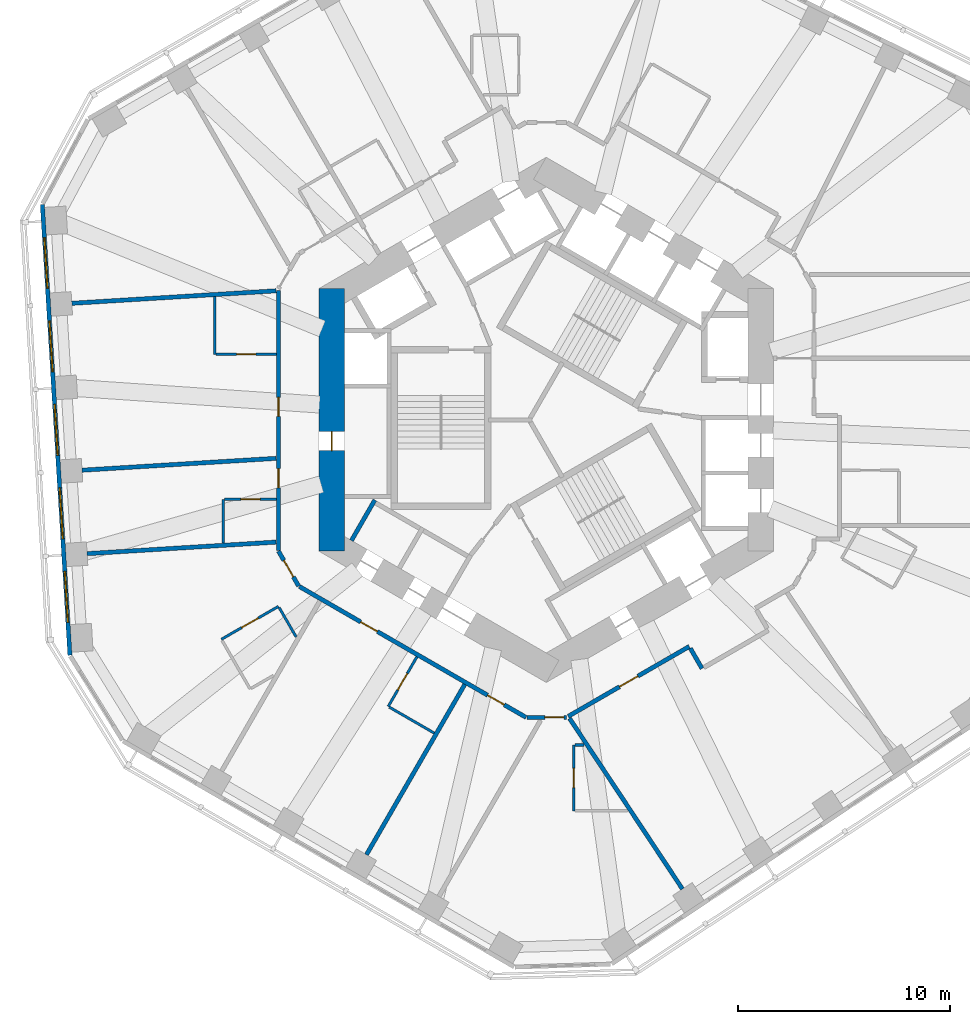
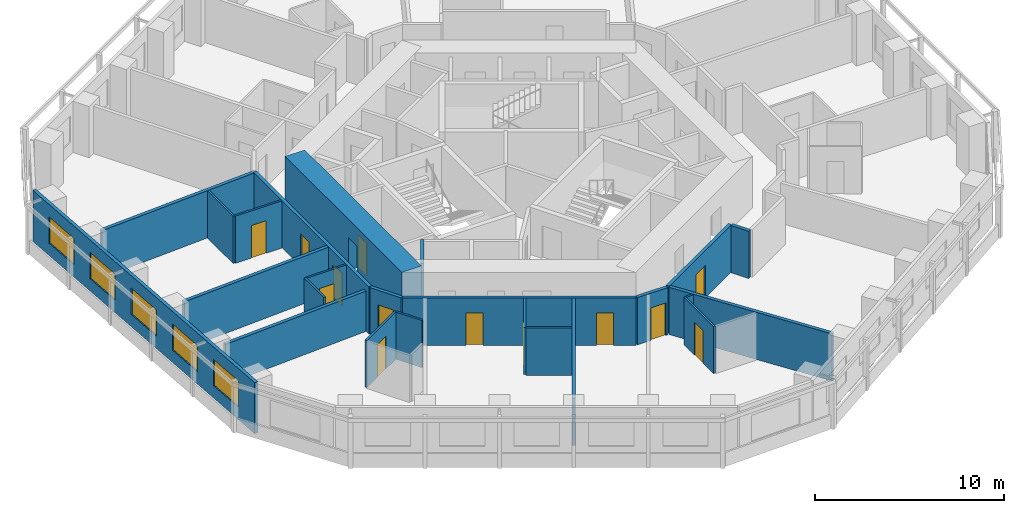
# One storey, part 4 of 12: 24 walls, 13 doors, 5 windows, 18 openings.
"""IFC4 building model written with IfcOpenShell, lengths in metres."""

from ifc_helpers import new_model, si_unit, direction, frame, frame_2d, origin, place, context, subcontext, project, spatial, rectangle, extrude, material, layer, layer_set, type_object, element, fill, save


model = new_model("IFC4")

# Units and contexts
model_context = context("Model", 3, precision=1e-05, world=origin(), true_north=direction((0.0, 1.0)))
body_context = subcontext(model_context, "Body", "Model", "MODEL_VIEW")
ifc_project = project(units=[si_unit("LENGTHUNIT", "METRE"), si_unit("AREAUNIT", "SQUARE_METRE"), si_unit("VOLUMEUNIT", "CUBIC_METRE"), si_unit("PLANEANGLEUNIT", "RADIAN"), si_unit("MASSUNIT", "GRAM", prefix="KILO")], contexts=[model_context])

# Site, building, storey
site_placement = place(None, origin())
site = spatial("IfcSite", under=ifc_project, at=site_placement, CompositionType="ELEMENT")
building_placement = place(site_placement, origin())
building = spatial("IfcBuilding", under=site, at=building_placement, Name="Vanh Sen Convention Tower", CompositionType="ELEMENT")
storey_placement = place(building_placement, frame((0.0, 0.0, 103.39990234375)))
storey = spatial("IfcBuildingStorey", under=building, at=storey_placement, Name="L24", CompositionType="ELEMENT", Elevation=103.39990234375)

# Wall
ifc_material_1 = material(Name="Moisture-resistant gypsum board on steel studs", Category="steel")
ifc_layer_1 = layer(ifc_material_1, 0.1201171875)
ifc_layer_set_1 = layer_set([ifc_layer_1], Name="Moisture-resistant gypsum board on steel studs")
wall_type_1 = type_object("IfcWallType", Name="Bathroom partition 120", PredefinedType="PARTITIONING", material=ifc_layer_set_1)
wall_1_placement = place(storey_placement, frame((-15.60009765625, 3.081298828125, 0.0), z_axis=(0.0, 0.0, 1.0), x_axis=(0.0, 1.0, 0.0)))
element("IfcWall", 1, at=wall_1_placement, inside=storey, type_object=wall_type_1, Name="Bathroom partition 120", PredefinedType="PARTITIONING", context=body_context, shape_type="SweptSolid", body=[
    extrude(rectangle(XDim=2.71630859375, YDim=0.1201171875, at=frame_2d((1.358154296875, 0.0))), origin(), (0.0, 0.0, 1.0), 3.050048828125),
])

# Wall, opening, door
wall_2_placement = place(storey_placement, frame((-15.285400390625, -10.326171875, 0.0), z_axis=(0.0, 0.0, 1.0), x_axis=(0.86600983753, 0.500026960575, 0.0)))
wall_2 = element("IfcWall", 2, at=wall_2_placement, inside=storey, type_object=wall_type_1, Name="Bathroom partition 120", PredefinedType="PARTITIONING", context=body_context, shape_type="SweptSolid", body=[
    extrude(rectangle(XDim=3.099853515625, YDim=0.1201171875, at=frame_2d((1.5498046875, 0.0))), origin(), (0.0, 0.0, 1.0), 3.050048828125),
])
opening_1_placement = place(wall_2_placement, frame((1.10009765625, 0.0, 0.0)))
opening_1 = element("IfcOpeningElement", 3, at=opening_1_placement, cuts=wall_2, Name="Opening D22119", PredefinedType="OPENING", context=body_context, shape_type="SweptSolid", body=[
    extrude(rectangle(XDim=0.89990234375, YDim=2.10009765625, at=frame_2d((0.449951171875, 1.050048828125))), frame((0.0, 0.070068359375, 0.0), z_axis=(0.0, -1.0, 0.0), x_axis=(1.0, 0.0, 0.0)), (0.0, 0.0, 1.0), 0.14013671875),
])
ifc_material_2 = material(Name="Laminate door in steel frame", Category="steel")
door_type_1 = type_object("IfcDoorType", Name="En-suite door 900", OperationType="SINGLE_SWING_LEFT", PredefinedType="DOOR", material=ifc_material_2)
door_1_placement = place(opening_1_placement, origin())
door_1 = element("IfcDoor", 4, at=door_1_placement, inside=storey, type_object=door_type_1, Name="En-suite door D22119", OperationType="SINGLE_SWING_LEFT", OverallHeight=2.10009765625, OverallWidth=0.89990234375, PredefinedType="DOOR", context=body_context, shape_type="SweptSolid", body=[
    extrude(rectangle(XDim=0.89990234375, YDim=2.10009765625, at=frame_2d((0.449951171875, 1.050048828125))), frame((0.0, 0.02490234375, 0.0), z_axis=(0.0, -1.0, 0.0), x_axis=(1.0, 0.0, 0.0)), (0.0, 0.0, 1.0), 0.050048828125),
])
fill(opening_1, door_1)

# Wall
wall_3_placement = place(storey_placement, frame((-15.199951171875, -5.8037109375, 0.0), z_axis=(0.0, 0.0, 1.0), x_axis=(0.0, 1.0, 0.0)))
element("IfcWall", 5, at=wall_3_placement, inside=storey, type_object=wall_type_1, Name="Bathroom partition 120", PredefinedType="PARTITIONING", context=body_context, shape_type="SweptSolid", body=[
    extrude(rectangle(XDim=2.059326171875, YDim=0.1201171875, at=frame_2d((1.02978515625, 0.0))), origin(), (0.0, 0.0, 1.0), 3.050048828125),
])

# Wall, opening, door
wall_4_placement = place(storey_placement, frame((-15.139892578125, -3.744384765625, 0.0), z_axis=(0.0, 0.0, 1.0), x_axis=(1.0, 0.0, 0.0)))
wall_4 = element("IfcWall", 6, at=wall_4_placement, inside=storey, type_object=wall_type_1, Name="Bathroom partition 120", PredefinedType="PARTITIONING", context=body_context, shape_type="SweptSolid", body=[
    extrude(rectangle(XDim=2.43994140625, YDim=0.1201171875, at=frame_2d((1.219970703125, 0.0))), origin(), (0.0, 0.0, 1.0), 3.050048828125),
])
opening_2_placement = place(wall_4_placement, frame((0.77001953125, 0.0, 0.0)))
opening_2 = element("IfcOpeningElement", 7, at=opening_2_placement, cuts=wall_4, Name="Opening D22117", PredefinedType="OPENING", context=body_context, shape_type="SweptSolid", body=[
    extrude(rectangle(XDim=0.89990234375, YDim=2.10009765625, at=frame_2d((0.449951171875, 1.050048828125))), frame((0.0, 0.070068359375, 0.0), z_axis=(0.0, -1.0, 0.0), x_axis=(1.0, 0.0, 0.0)), (0.0, 0.0, 1.0), 0.14013671875),
])
door_2_placement = place(opening_2_placement, origin())
door_2 = element("IfcDoor", 8, at=door_2_placement, inside=storey, type_object=door_type_1, Name="En-suite door D22117", OperationType="SINGLE_SWING_LEFT", OverallHeight=2.10009765625, OverallWidth=0.89990234375, PredefinedType="DOOR", context=body_context, shape_type="SweptSolid", body=[
    extrude(rectangle(XDim=0.89990234375, YDim=2.10009765625, at=frame_2d((0.449951171875, 1.050048828125))), frame((0.0, 0.02490234375, 0.0), z_axis=(0.0, -1.0, 0.0), x_axis=(1.0, 0.0, 0.0)), (0.0, 0.0, 1.0), 0.050048828125),
])
fill(opening_2, door_2)

wall_5_placement = place(storey_placement, frame((-12.699951171875, 3.081298828125, 0.0), z_axis=(0.0, 0.0, 1.0), x_axis=(-1.0, 0.0, 0.0)))
wall_5 = element("IfcWall", 9, at=wall_5_placement, inside=storey, type_object=wall_type_1, Name="Bathroom partition 120", PredefinedType="PARTITIONING", context=body_context, shape_type="SweptSolid", body=[
    extrude(rectangle(XDim=2.840087890625, YDim=0.1201171875, at=frame_2d((1.419921875, 0.0))), origin(), (0.0, 0.0, 1.0), 3.050048828125),
])
opening_3_placement = place(wall_5_placement, frame((0.969970703125, 0.0, 0.0)))
opening_3 = element("IfcOpeningElement", 10, at=opening_3_placement, cuts=wall_5, Name="Opening D22115", PredefinedType="OPENING", context=body_context, shape_type="SweptSolid", body=[
    extrude(rectangle(XDim=0.89990234375, YDim=2.10009765625, at=frame_2d((0.449951171875, 1.050048828125))), frame((0.0, 0.070068359375, 0.0), z_axis=(0.0, -1.0, 0.0), x_axis=(1.0, 0.0, 0.0)), (0.0, 0.0, 1.0), 0.14013671875),
])
door_3_placement = place(opening_3_placement, origin())
door_3 = element("IfcDoor", 11, at=door_3_placement, inside=storey, type_object=door_type_1, Name="En-suite door D22115", OperationType="SINGLE_SWING_LEFT", OverallHeight=2.10009765625, OverallWidth=0.89990234375, PredefinedType="DOOR", context=body_context, shape_type="SweptSolid", body=[
    extrude(rectangle(XDim=0.89990234375, YDim=2.10009765625, at=frame_2d((0.449951171875, 1.050048828125))), frame((0.0, 0.02490234375, 0.0), z_axis=(0.0, -1.0, 0.0), x_axis=(1.0, 0.0, 0.0)), (0.0, 0.0, 1.0), 0.050048828125),
])
fill(opening_3, door_3)

# Wall
wall_6_placement = place(storey_placement, frame((-12.57080078125, -8.828125, 0.0), z_axis=(0.0, 0.0, 1.0), x_axis=(0.499960029081, -0.866048479775, 0.0)))
element("IfcWall", 12, at=wall_6_placement, inside=storey, type_object=wall_type_1, Name="Bathroom partition 120", PredefinedType="PARTITIONING", context=body_context, shape_type="SweptSolid", body=[
    extrude(rectangle(XDim=1.601318359375, YDim=0.1201171875, at=frame_2d((0.80078125, 0.0))), origin(), (0.0, 0.0, 1.0), 3.050048828125),
])

# Wall, opening, door
wall_7_placement = place(storey_placement, frame((-7.436279296875, -13.489013671875, 0.0), z_axis=(0.0, 0.0, 1.0), x_axis=(0.500048589285, 0.86599734893, 0.0)))
wall_7 = element("IfcWall", 13, at=wall_7_placement, inside=storey, type_object=wall_type_1, Name="Bathroom partition 120", PredefinedType="PARTITIONING", context=body_context, shape_type="SweptSolid", body=[
    extrude(rectangle(XDim=2.699951171875, YDim=0.1201171875, at=frame_2d((1.35009765625, 0.0))), origin(), (0.0, 0.0, 1.0), 3.050048828125),
])
opening_4_placement = place(wall_7_placement, frame((0.89990234375, 0.0, 0.0)))
opening_4 = element("IfcOpeningElement", 14, at=opening_4_placement, cuts=wall_7, Name="Opening D22121", PredefinedType="OPENING", context=body_context, shape_type="SweptSolid", body=[
    extrude(rectangle(XDim=0.89990234375, YDim=2.10009765625, at=frame_2d((0.449951171875, 1.050048828125))), frame((0.0, 0.070068359375, 0.0), z_axis=(0.0, -1.0, 0.0), x_axis=(1.0, 0.0, 0.0)), (0.0, 0.0, 1.0), 0.14013671875),
])
door_4_placement = place(opening_4_placement, origin())
door_4 = element("IfcDoor", 15, at=door_4_placement, inside=storey, type_object=door_type_1, Name="En-suite door D22121", OperationType="SINGLE_SWING_LEFT", OverallHeight=2.10009765625, OverallWidth=0.89990234375, PredefinedType="DOOR", context=body_context, shape_type="SweptSolid", body=[
    extrude(rectangle(XDim=0.89990234375, YDim=2.10009765625, at=frame_2d((0.449951171875, 1.050048828125))), frame((0.0, 0.02490234375, 0.0), z_axis=(0.0, -1.0, 0.0), x_axis=(1.0, 0.0, 0.0)), (0.0, 0.0, 1.0), 0.050048828125),
])
fill(opening_4, door_4)

# Wall
wall_8_placement = place(storey_placement, frame((-5.271240234375, -14.739013671875, 0.0), z_axis=(0.0, 0.0, 1.0), x_axis=(-0.866023955769, 0.500002508028, 0.0)))
element("IfcWall", 16, at=wall_8_placement, inside=storey, type_object=wall_type_1, Name="Bathroom partition 120", PredefinedType="PARTITIONING", context=body_context, shape_type="SweptSolid", body=[
    extrude(rectangle(XDim=2.43994140625, YDim=0.1201171875, at=frame_2d((1.219970703125, 0.0))), origin(), (0.0, 0.0, 1.0), 3.050048828125),
])

# Wall, opening, door
wall_9_placement = place(storey_placement, frame((1.300048828125, -18.400634765625, 0.0), z_axis=(0.0, 0.0, 1.0), x_axis=(0.0, 1.0, 0.0)))
wall_9 = element("IfcWall", 17, at=wall_9_placement, inside=storey, type_object=wall_type_1, Name="Bathroom partition 120", PredefinedType="PARTITIONING", context=body_context, shape_type="SweptSolid", body=[
    extrude(rectangle(XDim=3.099853515625, YDim=0.1201171875, at=frame_2d((1.5498046875, 0.0))), origin(), (0.0, 0.0, 1.0), 3.050048828125),
])
opening_5_placement = place(wall_9_placement, frame((1.10009765625, 0.0, 0.0)))
opening_5 = element("IfcOpeningElement", 18, at=opening_5_placement, cuts=wall_9, Name="Opening D22124", PredefinedType="OPENING", context=body_context, shape_type="SweptSolid", body=[
    extrude(rectangle(XDim=0.89990234375, YDim=2.10009765625, at=frame_2d((0.449951171875, 1.050048828125))), frame((0.0, 0.070068359375, 0.0), z_axis=(0.0, -1.0, 0.0), x_axis=(1.0, 0.0, 0.0)), (0.0, 0.0, 1.0), 0.14013671875),
])
door_5_placement = place(opening_5_placement, origin())
door_5 = element("IfcDoor", 19, at=door_5_placement, inside=storey, type_object=door_type_1, Name="En-suite door D22124", OperationType="SINGLE_SWING_LEFT", OverallHeight=2.10009765625, OverallWidth=0.89990234375, PredefinedType="DOOR", context=body_context, shape_type="SweptSolid", body=[
    extrude(rectangle(XDim=0.89990234375, YDim=2.10009765625, at=frame_2d((0.449951171875, 1.050048828125))), frame((0.0, 0.02490234375, 0.0), z_axis=(0.0, -1.0, 0.0), x_axis=(1.0, 0.0, 0.0)), (0.0, 0.0, 1.0), 0.050048828125),
])
fill(opening_5, door_5)

# Wall
wall_10_placement = place(storey_placement, frame((1.360107421875, -15.30078125, 0.0), z_axis=(0.0, 0.0, 1.0), x_axis=(1.0, 0.0, 0.0)))
element("IfcWall", 20, at=wall_10_placement, inside=storey, type_object=wall_type_1, Name="Bathroom partition 120", PredefinedType="PARTITIONING", context=body_context, shape_type="SweptSolid", body=[
    extrude(rectangle(XDim=0.415771484375, YDim=0.1201171875, at=frame_2d((0.2080078125, 0.0))), origin(), (0.0, 0.0, 1.0), 3.050048828125),
])

# Wall, opening, door
ifc_material_3 = material(Name="Concrete C80/95", Category="concrete")
ifc_layer_2 = layer(ifc_material_3, 1.199951171875)
ifc_layer_set_2 = layer_set([ifc_layer_2], Name="Concrete C80/95")
wall_type_2 = type_object("IfcWallType", Name="Core outer wall 1200 C80/95", PredefinedType="SHEAR", material=ifc_layer_set_2)
wall_11_placement = place(storey_placement, frame((-10.10009765625, 6.177490234375, 0.0), z_axis=(0.0, 0.0, 1.0), x_axis=(0.0, -1.0, 0.0)))
wall_11 = element("IfcWall", 21, at=wall_11_placement, inside=storey, type_object=wall_type_2, Name="Core wall face W L24", PredefinedType="SHEAR", context=body_context, shape_type="SweptSolid", body=[
    extrude(rectangle(XDim=12.35498046875, YDim=1.199951171875, at=frame_2d((6.177490234375, 0.0))), origin(), (0.0, 0.0, 1.0), 3.300048828125),
])
opening_6_placement = place(wall_11_placement, frame((6.7275390625, 0.0, 0.0)))
opening_6 = element("IfcOpeningElement", 22, at=opening_6_placement, cuts=wall_11, Name="Opening D22010", PredefinedType="OPENING", context=body_context, shape_type="SweptSolid", body=[
    extrude(rectangle(XDim=0.89990234375, YDim=2.10009765625, at=frame_2d((0.449951171875, 1.050048828125))), frame((0.0, 0.60986328125, 0.0), z_axis=(0.0, -1.0, 0.0), x_axis=(1.0, 0.0, 0.0)), (0.0, 0.0, 1.0), 1.219970703125),
])
ifc_material_4 = material(Name="Steel S355", Category="steel")
door_type_2 = type_object("IfcDoorType", Name="Plant door 900", OperationType="SINGLE_SWING_LEFT", PredefinedType="DOOR", material=ifc_material_4)
door_6_placement = place(opening_6_placement, origin())
door_6 = element("IfcDoor", 23, at=door_6_placement, inside=storey, type_object=door_type_2, Name="Plant door D22010", OperationType="SINGLE_SWING_LEFT", OverallHeight=2.10009765625, OverallWidth=0.89990234375, PredefinedType="DOOR", context=body_context, shape_type="SweptSolid", body=[
    extrude(rectangle(XDim=0.89990234375, YDim=2.10009765625, at=frame_2d((0.449951171875, 1.050048828125))), frame((0.0, 0.02490234375, 0.0), z_axis=(0.0, -1.0, 0.0), x_axis=(1.0, 0.0, 0.0)), (0.0, 0.0, 1.0), 0.050048828125),
])
fill(opening_6, door_6)

ifc_material_5 = material(Name="Gypsum board on steel studs with mineral wool", Category="steel")
ifc_layer_3 = layer(ifc_material_5, 0.199951171875)
ifc_layer_set_3 = layer_set([ifc_layer_3], Name="Gypsum board on steel studs with mineral wool")
wall_type_3 = type_object("IfcWallType", Name="Corridor partition wall 200", PredefinedType="PARTITIONING", material=ifc_layer_set_3)
wall_12_placement = place(storey_placement, frame((-12.60009765625, -6.177490234375, 0.0), z_axis=(0.0, 0.0, 1.0), x_axis=(0.500063520245, -0.865988727248, 0.0)))
wall_12 = element("IfcWall", 24, at=wall_12_placement, inside=storey, type_object=wall_type_3, Name="Corridor partition wall 200", PredefinedType="PARTITIONING", context=body_context, shape_type="SweptSolid", body=[
    extrude(rectangle(XDim=1.900146484375, YDim=0.199951171875, at=frame_2d((0.9501953125, 0.0))), origin(), (0.0, 0.0, 1.0), 3.050048828125),
])
opening_7_placement = place(wall_12_placement, frame((0.5, 0.0, 0.0)))
opening_7 = element("IfcOpeningElement", 25, at=opening_7_placement, cuts=wall_12, Name="Opening D22118", PredefinedType="OPENING", context=body_context, shape_type="SweptSolid", body=[
    extrude(rectangle(XDim=0.89990234375, YDim=2.10009765625, at=frame_2d((0.449951171875, 1.050048828125))), frame((0.0, 0.10986328125, 0.0), z_axis=(0.0, -1.0, 0.0), x_axis=(1.0, 0.0, 0.0)), (0.0, 0.0, 1.0), 0.219970703125),
])
ifc_material_6 = material(Name="Timber fire door in steel frame", Category="steel")
door_type_3 = type_object("IfcDoorType", Name="Guest room door 900", OperationType="SINGLE_SWING_LEFT", PredefinedType="DOOR", material=ifc_material_6)
door_7_placement = place(opening_7_placement, origin())
door_7 = element("IfcDoor", 26, at=door_7_placement, inside=storey, type_object=door_type_3, Name="Hotel guest room door D22118", OperationType="SINGLE_SWING_LEFT", OverallHeight=2.10009765625, OverallWidth=0.89990234375, PredefinedType="DOOR", context=body_context, shape_type="SweptSolid", body=[
    extrude(rectangle(XDim=0.89990234375, YDim=2.10009765625, at=frame_2d((0.449951171875, 1.050048828125))), frame((0.0, 0.02490234375, 0.0), z_axis=(0.0, -1.0, 0.0), x_axis=(1.0, 0.0, 0.0)), (0.0, 0.0, 1.0), 0.050048828125),
])
fill(opening_7, door_7)

# Wall, openings, doors
wall_13_placement = place(storey_placement, frame((-12.60009765625, 6.081298828125, 0.0), z_axis=(0.0, 0.0, 1.0), x_axis=(0.0, -1.0, 0.0)))
wall_13 = element("IfcWall", 27, at=wall_13_placement, inside=storey, type_object=wall_type_3, Name="Corridor partition wall 200", PredefinedType="PARTITIONING", context=body_context, shape_type="SweptSolid", body=[
    extrude(rectangle(XDim=12.218994140625, YDim=0.199951171875, at=frame_2d((6.109375, 0.0))), origin(), (0.0, 0.0, 1.0), 3.050048828125),
])
opening_8_placement = place(wall_13_placement, frame((5.016845703125, 0.0, 0.0)))
opening_8 = element("IfcOpeningElement", 28, at=opening_8_placement, cuts=wall_13, Name="Opening D22114", PredefinedType="OPENING", context=body_context, shape_type="SweptSolid", body=[
    extrude(rectangle(XDim=0.89990234375, YDim=2.10009765625, at=frame_2d((0.449951171875, 1.050048828125))), frame((0.0, 0.10986328125, 0.0), z_axis=(0.0, -1.0, 0.0), x_axis=(1.0, 0.0, 0.0)), (0.0, 0.0, 1.0), 0.219970703125),
])
opening_9_placement = place(wall_13_placement, frame((8.3798828125, 0.0, 0.0)))
opening_9 = element("IfcOpeningElement", 29, at=opening_9_placement, cuts=wall_13, Name="Opening D22116", PredefinedType="OPENING", context=body_context, shape_type="SweptSolid", body=[
    extrude(rectangle(XDim=0.89990234375, YDim=2.10009765625, at=frame_2d((0.449951171875, 1.050048828125))), frame((0.0, 0.10986328125, 0.0), z_axis=(0.0, -1.0, 0.0), x_axis=(1.0, 0.0, 0.0)), (0.0, 0.0, 1.0), 0.219970703125),
])
door_8_placement = place(opening_8_placement, origin())
door_8 = element("IfcDoor", 30, at=door_8_placement, inside=storey, type_object=door_type_3, Name="Hotel guest room door D22114", OperationType="SINGLE_SWING_LEFT", OverallHeight=2.10009765625, OverallWidth=0.89990234375, PredefinedType="DOOR", context=body_context, shape_type="SweptSolid", body=[
    extrude(rectangle(XDim=0.89990234375, YDim=2.10009765625, at=frame_2d((0.449951171875, 1.050048828125))), frame((0.0, 0.02490234375, 0.0), z_axis=(0.0, -1.0, 0.0), x_axis=(1.0, 0.0, 0.0)), (0.0, 0.0, 1.0), 0.050048828125),
])
fill(opening_8, door_8)
door_9_placement = place(opening_9_placement, origin())
door_9 = element("IfcDoor", 31, at=door_9_placement, inside=storey, type_object=door_type_3, Name="Hotel guest room door D22116", OperationType="SINGLE_SWING_LEFT", OverallHeight=2.10009765625, OverallWidth=0.89990234375, PredefinedType="DOOR", context=body_context, shape_type="SweptSolid", body=[
    extrude(rectangle(XDim=0.89990234375, YDim=2.10009765625, at=frame_2d((0.449951171875, 1.050048828125))), frame((0.0, 0.02490234375, 0.0), z_axis=(0.0, -1.0, 0.0), x_axis=(1.0, 0.0, 0.0)), (0.0, 0.0, 1.0), 0.050048828125),
])
fill(opening_9, door_9)

wall_14_placement = place(storey_placement, frame((-11.615478515625, -7.843017578125, 0.0), z_axis=(0.0, 0.0, 1.0), x_axis=(0.866026466995, -0.499998158461, 0.0)))
wall_14 = element("IfcWall", 32, at=wall_14_placement, inside=storey, type_object=wall_type_3, Name="Corridor partition wall 200", PredefinedType="PARTITIONING", context=body_context, shape_type="SweptSolid", body=[
    extrude(rectangle(XDim=12.3154296875, YDim=0.199951171875, at=frame_2d((6.15771484375, 0.0))), origin(), (0.0, 0.0, 1.0), 3.050048828125),
])
opening_10_placement = place(wall_14_placement, frame((3.332763671875, 0.0, 0.0)))
opening_10 = element("IfcOpeningElement", 33, at=opening_10_placement, cuts=wall_14, Name="Opening D22120", PredefinedType="OPENING", context=body_context, shape_type="SweptSolid", body=[
    extrude(rectangle(XDim=0.89990234375, YDim=2.10009765625, at=frame_2d((0.449951171875, 1.050048828125))), frame((0.0, 0.10986328125, 0.0), z_axis=(0.0, -1.0, 0.0), x_axis=(1.0, 0.0, 0.0)), (0.0, 0.0, 1.0), 0.219970703125),
])
opening_11_placement = place(wall_14_placement, frame((10.228759765625, 0.0, 0.0)))
opening_11 = element("IfcOpeningElement", 34, at=opening_11_placement, cuts=wall_14, Name="Opening D22122", PredefinedType="OPENING", context=body_context, shape_type="SweptSolid", body=[
    extrude(rectangle(XDim=0.89990234375, YDim=2.10009765625, at=frame_2d((0.449951171875, 1.050048828125))), frame((0.0, 0.10986328125, 0.0), z_axis=(0.0, -1.0, 0.0), x_axis=(1.0, 0.0, 0.0)), (0.0, 0.0, 1.0), 0.219970703125),
])
door_type_4 = type_object("IfcDoorType", Name="Floor service door 900", OperationType="SINGLE_SWING_LEFT", PredefinedType="DOOR", material=ifc_material_6)
door_10_placement = place(opening_11_placement, origin())
door_10 = element("IfcDoor", 35, at=door_10_placement, inside=storey, type_object=door_type_4, Name="Service room door D22122", OperationType="SINGLE_SWING_LEFT", OverallHeight=2.10009765625, OverallWidth=0.89990234375, PredefinedType="DOOR", context=body_context, shape_type="SweptSolid", body=[
    extrude(rectangle(XDim=0.89990234375, YDim=2.10009765625, at=frame_2d((0.449951171875, 1.050048828125))), frame((0.0, 0.02490234375, 0.0), z_axis=(0.0, -1.0, 0.0), x_axis=(1.0, 0.0, 0.0)), (0.0, 0.0, 1.0), 0.050048828125),
])
fill(opening_11, door_10)
door_11_placement = place(opening_10_placement, origin())
door_11 = element("IfcDoor", 36, at=door_11_placement, inside=storey, type_object=door_type_3, Name="Hotel guest room door D22120", OperationType="SINGLE_SWING_LEFT", OverallHeight=2.10009765625, OverallWidth=0.89990234375, PredefinedType="DOOR", context=body_context, shape_type="SweptSolid", body=[
    extrude(rectangle(XDim=0.89990234375, YDim=2.10009765625, at=frame_2d((0.449951171875, 1.050048828125))), frame((0.0, 0.02490234375, 0.0), z_axis=(0.0, -1.0, 0.0), x_axis=(1.0, 0.0, 0.0)), (0.0, 0.0, 1.0), 0.050048828125),
])
fill(opening_10, door_11)

# Wall, opening, door
wall_15_placement = place(storey_placement, frame((-0.909912109375, -14.000732421875, 0.0), z_axis=(0.0, 0.0, 1.0), x_axis=(1.0, 0.0, 0.0)))
wall_15 = element("IfcWall", 37, at=wall_15_placement, inside=storey, type_object=wall_type_3, Name="Corridor partition wall 200", PredefinedType="PARTITIONING", context=body_context, shape_type="SweptSolid", body=[
    extrude(rectangle(XDim=1.85986328125, YDim=0.199951171875, at=frame_2d((0.929931640625, 0.0))), origin(), (0.0, 0.0, 1.0), 3.050048828125),
])
opening_12_placement = place(wall_15_placement, frame((0.841796875, 0.0, 0.0)))
opening_12 = element("IfcOpeningElement", 38, at=opening_12_placement, cuts=wall_15, Name="Opening D22123", PredefinedType="OPENING", context=body_context, shape_type="SweptSolid", body=[
    extrude(rectangle(XDim=0.89990234375, YDim=2.10009765625, at=frame_2d((0.449951171875, 1.050048828125))), frame((0.0, 0.10986328125, 0.0), z_axis=(0.0, -1.0, 0.0), x_axis=(1.0, 0.0, 0.0)), (0.0, 0.0, 1.0), 0.219970703125),
])
door_12_placement = place(opening_12_placement, origin())
door_12 = element("IfcDoor", 39, at=door_12_placement, inside=storey, type_object=door_type_3, Name="Hotel guest room door D22123", OperationType="SINGLE_SWING_LEFT", OverallHeight=2.10009765625, OverallWidth=0.89990234375, PredefinedType="DOOR", context=body_context, shape_type="SweptSolid", body=[
    extrude(rectangle(XDim=0.89990234375, YDim=2.10009765625, at=frame_2d((0.449951171875, 1.050048828125))), frame((0.0, 0.02490234375, 0.0), z_axis=(0.0, -1.0, 0.0), x_axis=(1.0, 0.0, 0.0)), (0.0, 0.0, 1.0), 0.050048828125),
])
fill(opening_12, door_12)

wall_16_placement = place(storey_placement, frame((1.033447265625, -13.95263671875, 0.0), z_axis=(0.0, 0.0, 1.0), x_axis=(0.866017531406, 0.500013635111, 0.0)))
wall_16 = element("IfcWall", 40, at=wall_16_placement, inside=storey, type_object=wall_type_3, Name="Corridor partition wall 200", PredefinedType="PARTITIONING", context=body_context, shape_type="SweptSolid", body=[
    extrude(rectangle(XDim=6.580322265625, YDim=0.199951171875, at=frame_2d((3.2900390625, 0.0))), origin(), (0.0, 0.0, 1.0), 3.050048828125),
])
opening_13_placement = place(wall_16_placement, frame((2.7900390625, 0.0, 0.0)))
opening_13 = element("IfcOpeningElement", 41, at=opening_13_placement, cuts=wall_16, Name="Opening D22125", PredefinedType="OPENING", context=body_context, shape_type="SweptSolid", body=[
    extrude(rectangle(XDim=1.0, YDim=2.10009765625, at=frame_2d((0.5, 1.050048828125))), frame((0.0, 0.10986328125, 0.0), z_axis=(0.0, -1.0, 0.0), x_axis=(1.0, 0.0, 0.0)), (0.0, 0.0, 1.0), 0.219970703125),
])
door_type_5 = type_object("IfcDoorType", Name="Floor room door 1000", OperationType="SINGLE_SWING_LEFT", PredefinedType="DOOR", material=ifc_material_6)
door_13_placement = place(opening_13_placement, origin())
door_13 = element("IfcDoor", 42, at=door_13_placement, inside=storey, type_object=door_type_5, Name="Meeting and amenity room door D22125", OperationType="SINGLE_SWING_LEFT", OverallHeight=2.10009765625, OverallWidth=1.0, PredefinedType="DOOR", context=body_context, shape_type="SweptSolid", body=[
    extrude(rectangle(XDim=1.0, YDim=2.10009765625, at=frame_2d((0.5, 1.050048828125))), frame((0.0, 0.02490234375, 0.0), z_axis=(0.0, -1.0, 0.0), x_axis=(1.0, 0.0, 0.0)), (0.0, 0.0, 1.0), 0.050048828125),
])
fill(opening_13, door_13)

# Wall
wall_17_placement = place(storey_placement, frame((6.781982421875, -10.7490234375, 0.0), z_axis=(0.0, 0.0, 1.0), x_axis=(0.500074377092, -0.865982457891, 0.0)))
element("IfcWall", 43, at=wall_17_placement, inside=storey, type_object=wall_type_3, Name="Corridor partition wall 200", PredefinedType="PARTITIONING", context=body_context, shape_type="SweptSolid", body=[
    extrude(rectangle(XDim=1.100830078125, YDim=0.199951171875, at=frame_2d((0.55029296875, 0.0))), origin(), (0.0, 0.0, 1.0), 3.050048828125),
])

# Wall, openings, windows
ifc_material_7 = material(Name="Insulated lightweight infill wall")
ifc_layer_4 = layer(ifc_material_7, 0.199951171875)
ifc_layer_set_4 = layer_set([ifc_layer_4], Name="Insulated lightweight infill wall")
wall_type_4 = type_object("IfcWallType", Name="External wall 200", PredefinedType="STANDARD", material=ifc_layer_set_4)
wall_18_placement = place(storey_placement, frame((-23.712646484375, 10.130859375, 0.0), z_axis=(0.0, 0.0, 1.0), x_axis=(0.061040439785, -0.998135293791, 0.0)))
wall_18 = element("IfcWall", 44, at=wall_18_placement, inside=storey, type_object=wall_type_4, Name="External wall W L24", PredefinedType="STANDARD", context=body_context, shape_type="SweptSolid", body=[
    extrude(rectangle(XDim=21.24609375, YDim=0.199951171875, at=frame_2d((10.623046875, 0.0))), origin(), (0.0, 0.0, 1.0), 3.300048828125),
])
opening_14_placement = place(wall_18_placement, frame((1.552978515625, 0.0, 0.800048828125)))
opening_14 = element("IfcOpeningElement", 45, at=opening_14_placement, cuts=wall_18, Name="Opening WH1-W1", PredefinedType="OPENING", context=body_context, shape_type="SweptSolid", body=[
    extrude(rectangle(XDim=2.39990234375, YDim=1.699951171875, at=frame_2d((1.199951171875, 0.85009765625))), frame((0.0, 0.10986328125, 0.0), z_axis=(0.0, -1.0, 0.0), x_axis=(1.0, 0.0, 0.0)), (0.0, 0.0, 1.0), 0.219970703125),
])
opening_15_placement = place(wall_18_placement, frame((5.48779296875, 0.0, 0.800048828125)))
opening_15 = element("IfcOpeningElement", 46, at=opening_15_placement, cuts=wall_18, Name="Opening WH1-W2", PredefinedType="OPENING", context=body_context, shape_type="SweptSolid", body=[
    extrude(rectangle(XDim=2.39990234375, YDim=1.699951171875, at=frame_2d((1.199951171875, 0.85009765625))), frame((0.0, 0.10986328125, 0.0), z_axis=(0.0, -1.0, 0.0), x_axis=(1.0, 0.0, 0.0)), (0.0, 0.0, 1.0), 0.219970703125),
])
opening_16_placement = place(wall_18_placement, frame((9.42236328125, 0.0, 0.800048828125)))
opening_16 = element("IfcOpeningElement", 47, at=opening_16_placement, cuts=wall_18, Name="Opening WH1-W3", PredefinedType="OPENING", context=body_context, shape_type="SweptSolid", body=[
    extrude(rectangle(XDim=2.39990234375, YDim=1.699951171875, at=frame_2d((1.199951171875, 0.85009765625))), frame((0.0, 0.10986328125, 0.0), z_axis=(0.0, -1.0, 0.0), x_axis=(1.0, 0.0, 0.0)), (0.0, 0.0, 1.0), 0.219970703125),
])
opening_17_placement = place(wall_18_placement, frame((13.35693359375, 0.0, 0.800048828125)))
opening_17 = element("IfcOpeningElement", 48, at=opening_17_placement, cuts=wall_18, Name="Opening WH1-W4", PredefinedType="OPENING", context=body_context, shape_type="SweptSolid", body=[
    extrude(rectangle(XDim=2.39990234375, YDim=1.699951171875, at=frame_2d((1.199951171875, 0.85009765625))), frame((0.0, 0.10986328125, 0.0), z_axis=(0.0, -1.0, 0.0), x_axis=(1.0, 0.0, 0.0)), (0.0, 0.0, 1.0), 0.219970703125),
])
opening_18_placement = place(wall_18_placement, frame((17.29150390625, 0.0, 0.800048828125)))
opening_18 = element("IfcOpeningElement", 49, at=opening_18_placement, cuts=wall_18, Name="Opening WH1-W5", PredefinedType="OPENING", context=body_context, shape_type="SweptSolid", body=[
    extrude(rectangle(XDim=2.39990234375, YDim=1.699951171875, at=frame_2d((1.199951171875, 0.85009765625))), frame((0.0, 0.10986328125, 0.0), z_axis=(0.0, -1.0, 0.0), x_axis=(1.0, 0.0, 0.0)), (0.0, 0.0, 1.0), 0.219970703125),
])
ifc_material_8 = material(Name="Aluminium frame with clear low-emissivity glass", Category="aluminium")
window_type = type_object("IfcWindowType", Name="Hotel window 2400 x 1700", PartitioningType="SINGLE_PANEL", PredefinedType="WINDOW", material=ifc_material_8)
window_1_placement = place(opening_14_placement, origin())
window_1 = element("IfcWindow", 50, at=window_1_placement, inside=storey, type_object=window_type, Name="Window WH1-W1", OverallHeight=1.699951171875, OverallWidth=2.39990234375, PartitioningType="SINGLE_PANEL", PredefinedType="WINDOW", context=body_context, shape_type="SweptSolid", body=[
    extrude(rectangle(XDim=2.39990234375, YDim=1.699951171875, at=frame_2d((1.199951171875, 0.85009765625))), frame((0.0, 0.030029296875, 0.0), z_axis=(0.0, -1.0, 0.0), x_axis=(1.0, 0.0, 0.0)), (0.0, 0.0, 1.0), 0.06005859375),
])
fill(opening_14, window_1)
window_2_placement = place(opening_15_placement, origin())
window_2 = element("IfcWindow", 51, at=window_2_placement, inside=storey, type_object=window_type, Name="Window WH1-W2", OverallHeight=1.699951171875, OverallWidth=2.39990234375, PartitioningType="SINGLE_PANEL", PredefinedType="WINDOW", context=body_context, shape_type="SweptSolid", body=[
    extrude(rectangle(XDim=2.39990234375, YDim=1.699951171875, at=frame_2d((1.199951171875, 0.85009765625))), frame((0.0, 0.030029296875, 0.0), z_axis=(0.0, -1.0, 0.0), x_axis=(1.0, 0.0, 0.0)), (0.0, 0.0, 1.0), 0.06005859375),
])
fill(opening_15, window_2)
window_3_placement = place(opening_16_placement, origin())
window_3 = element("IfcWindow", 52, at=window_3_placement, inside=storey, type_object=window_type, Name="Window WH1-W3", OverallHeight=1.699951171875, OverallWidth=2.39990234375, PartitioningType="SINGLE_PANEL", PredefinedType="WINDOW", context=body_context, shape_type="SweptSolid", body=[
    extrude(rectangle(XDim=2.39990234375, YDim=1.699951171875, at=frame_2d((1.199951171875, 0.85009765625))), frame((0.0, 0.030029296875, 0.0), z_axis=(0.0, -1.0, 0.0), x_axis=(1.0, 0.0, 0.0)), (0.0, 0.0, 1.0), 0.06005859375),
])
fill(opening_16, window_3)
window_4_placement = place(opening_17_placement, origin())
window_4 = element("IfcWindow", 53, at=window_4_placement, inside=storey, type_object=window_type, Name="Window WH1-W4", OverallHeight=1.699951171875, OverallWidth=2.39990234375, PartitioningType="SINGLE_PANEL", PredefinedType="WINDOW", context=body_context, shape_type="SweptSolid", body=[
    extrude(rectangle(XDim=2.39990234375, YDim=1.699951171875, at=frame_2d((1.199951171875, 0.85009765625))), frame((0.0, 0.030029296875, 0.0), z_axis=(0.0, -1.0, 0.0), x_axis=(1.0, 0.0, 0.0)), (0.0, 0.0, 1.0), 0.06005859375),
])
fill(opening_17, window_4)
window_5_placement = place(opening_18_placement, origin())
window_5 = element("IfcWindow", 54, at=window_5_placement, inside=storey, type_object=window_type, Name="Window WH1-W5", OverallHeight=1.699951171875, OverallWidth=2.39990234375, PartitioningType="SINGLE_PANEL", PredefinedType="WINDOW", context=body_context, shape_type="SweptSolid", body=[
    extrude(rectangle(XDim=2.39990234375, YDim=1.699951171875, at=frame_2d((1.199951171875, 0.85009765625))), frame((0.0, 0.030029296875, 0.0), z_axis=(0.0, -1.0, 0.0), x_axis=(1.0, 0.0, 0.0)), (0.0, 0.0, 1.0), 0.06005859375),
])
fill(opening_18, window_5)

# Walls
ifc_layer_5 = layer(ifc_material_5, 0.199951171875)
ifc_layer_set_5 = layer_set([ifc_layer_5], Name="Gypsum board on steel studs with mineral wool")
wall_type_5 = type_object("IfcWallType", Name="Hotel party wall 200", PredefinedType="PARTITIONING", material=ifc_layer_set_5)
wall_19_placement = place(storey_placement, frame((-22.32666015625, 5.486328125, 0.0), z_axis=(0.0, 0.0, 1.0), x_axis=(0.998135194863, 0.061042057435, 0.0)))
element("IfcWall", 55, at=wall_19_placement, inside=storey, type_object=wall_type_5, Name="Hotel party wall 200", PredefinedType="PARTITIONING", context=body_context, shape_type="SweptSolid", body=[
    extrude(rectangle(XDim=9.635009765625, YDim=0.199951171875, at=frame_2d((4.8173828125, 0.0))), origin(), (0.0, 0.0, 1.0), 3.050048828125),
])
wall_20_placement = place(storey_placement, frame((-21.84619140625, -2.3681640625, 0.0), z_axis=(0.0, 0.0, 1.0), x_axis=(0.998134617584, 0.061051496129, 0.0)))
element("IfcWall", 56, at=wall_20_placement, inside=storey, type_object=wall_type_5, Name="Hotel party wall 200", PredefinedType="PARTITIONING", context=body_context, shape_type="SweptSolid", body=[
    extrude(rectangle(XDim=9.153564453125, YDim=0.199951171875, at=frame_2d((4.57666015625, 0.0))), origin(), (0.0, 0.0, 1.0), 3.050048828125),
])
wall_21_placement = place(storey_placement, frame((-21.60595703125, -6.29541015625, 0.0), z_axis=(0.0, 0.0, 1.0), x_axis=(0.998134305525, 0.061056597794, 0.0)))
element("IfcWall", 57, at=wall_21_placement, inside=storey, type_object=wall_type_5, Name="Hotel party wall 200", PredefinedType="PARTITIONING", context=body_context, shape_type="SweptSolid", body=[
    extrude(rectangle(XDim=8.912841796875, YDim=0.199951171875, at=frame_2d((4.45654296875, 0.0))), origin(), (0.0, 0.0, 1.0), 2.60009765625),
])
wall_22_placement = place(storey_placement, frame((-8.459716796875, -20.46142578125, 0.0), z_axis=(0.0, 0.0, 1.0), x_axis=(0.499999662836, 0.866025598446, 0.0)))
element("IfcWall", 58, at=wall_22_placement, inside=storey, type_object=wall_type_5, Name="Hotel party wall 200", PredefinedType="PARTITIONING", context=body_context, shape_type="SweptSolid", body=[
    extrude(rectangle(XDim=9.25, YDim=0.199951171875, at=frame_2d((4.625, 0.0))), origin(), (0.0, 0.0, 1.0), 3.050048828125),
])
wall_23_placement = place(storey_placement, frame((6.411865234375, -22.07861328125, 0.0), z_axis=(0.0, 0.0, 1.0), x_axis=(-0.551919507115, 0.83389739037, 0.0)))
element("IfcWall", 59, at=wall_23_placement, inside=storey, type_object=wall_type_5, Name="Hotel party wall 200", PredefinedType="PARTITIONING", context=body_context, shape_type="SweptSolid", body=[
    extrude(rectangle(XDim=9.634765625, YDim=0.199951171875, at=frame_2d((4.8173828125, 0.0))), origin(), (0.0, 0.0, 1.0), 3.050048828125),
])
ifc_material_9 = material(Name="Concrete C40/50", Category="concrete")
ifc_layer_6 = layer(ifc_material_9, 0.199951171875)
ifc_layer_set_6 = layer_set([ifc_layer_6], Name="Concrete C40/50")
wall_type_6 = type_object("IfcWallType", Name="Lift shaft wall 200", PredefinedType="PARTITIONING", material=ifc_layer_set_6)
wall_24_placement = place(storey_placement, frame((-8.066650390625, -3.77197265625, 0.0), z_axis=(0.0, 0.0, 1.0), x_axis=(-0.50002983664, -0.866008176907, 0.0)))
element("IfcWall", 60, at=wall_24_placement, inside=storey, type_object=wall_type_6, Name="Lift shaft wall L24", PredefinedType="PARTITIONING", context=body_context, shape_type="SweptSolid", body=[
    extrude(rectangle(XDim=2.199951171875, YDim=0.199951171875, at=frame_2d((1.10009765625, 0.0))), origin(), (0.0, 0.0, 1.0), 3.050048828125),
])

save(model, "model.ifc")
